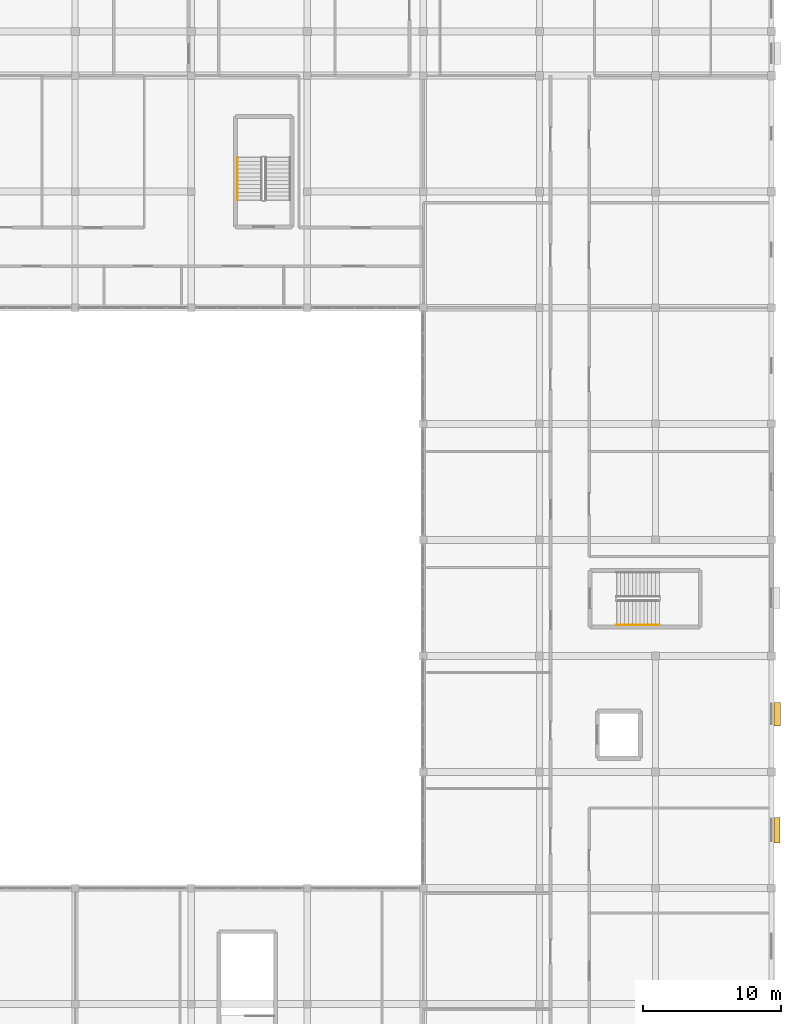
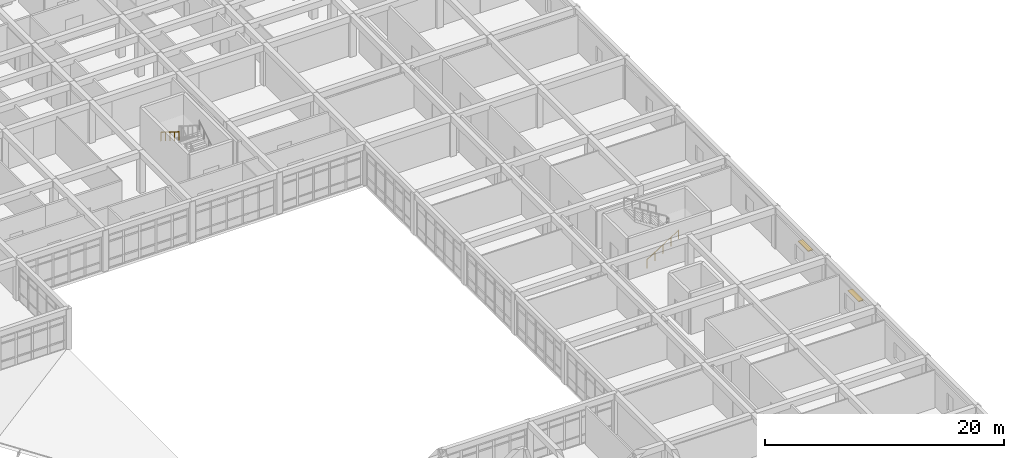
# One storey, part 73 of 77: 2 railings, 2 shading devices.
"""IFC4 building model written with IfcOpenShell, lengths in metres."""

from ifc_helpers import new_model, si_unit, direction, frame, origin, origin_2d, place, context, subcontext, project, spatial, rectangle, circle, extrude, material, layer, layer_set, type_object, element, save


model = new_model("IFC4")

# Units and contexts
model_context = context("Model", 3, precision=1e-05, world=origin(), true_north=direction((0.0, 1.0)))
body_context = subcontext(model_context, "Body", "Model", "MODEL_VIEW")
ifc_project = project(units=[si_unit("LENGTHUNIT", "METRE"), si_unit("AREAUNIT", "SQUARE_METRE"), si_unit("VOLUMEUNIT", "CUBIC_METRE"), si_unit("PLANEANGLEUNIT", "RADIAN"), si_unit("MASSUNIT", "GRAM", prefix="KILO")], contexts=[model_context])

# Site, building, storey
site_placement = place(None, origin())
site = spatial("IfcSite", under=ifc_project, at=site_placement, CompositionType="ELEMENT")
building_placement = place(site_placement, origin())
building = spatial("IfcBuilding", under=site, at=building_placement, Name="Varncliffe General Hospital", CompositionType="ELEMENT")
storey_placement = place(building_placement, frame((0.0, 0.0, 16.199951171875)))
storey = spatial("IfcBuildingStorey", under=building, at=storey_placement, Name="L03", CompositionType="ELEMENT", Elevation=16.199951171875)

# Shading devices
ifc_material_1 = material(Name="Dark bronze extruded aluminium solar jalousie louvres", Category="aluminium")
ifc_layer = layer(ifc_material_1, 0.080078125)
ifc_layer_set = layer_set([ifc_layer], Name="Dark bronze extruded aluminium solar jalousie louvres")
shading_device_type = type_object("IfcShadingDeviceType", Name="Bronze Solar Jalousie Louvre Hood SHD18", PredefinedType="JALOUSIE", material=ifc_layer_set)
shading_device_1_placement = place(storey_placement, frame((176.81494140625, 53.39990234375, 2.4599609375), z_axis=(0.0, 0.0, 1.0), x_axis=(0.0, -1.0, 0.0)))
element("IfcShadingDevice", 1, at=shading_device_1_placement, inside=storey, type_object=shading_device_type, Name="L03 Bronze Window Sun-Shading Louvre 71", PredefinedType="JALOUSIE", context=body_context, shape_type="SweptSolid", body=[
    extrude(rectangle(XDim=1.699951171875, YDim=0.449951171875, at=origin_2d()), origin(), (0.0, 0.0, 1.0), 0.080078125),
])
shading_device_2_placement = place(storey_placement, frame((176.800048828125, 45.0, 2.4599609375), z_axis=(0.0, 0.0, 1.0), x_axis=(0.0, -1.0, 0.0)))
element("IfcShadingDevice", 2, at=shading_device_2_placement, inside=storey, type_object=shading_device_type, Name="L03 Bronze Window Sun-Shading Louvre 72", PredefinedType="JALOUSIE", context=body_context, shape_type="SweptSolid", body=[
    extrude(rectangle(XDim=1.85009765625, YDim=0.449951171875, at=origin_2d()), origin(), (0.0, 0.0, 1.0), 0.080078125),
])

# Railings
ifc_material_2 = material(Name="Powder-coated hospital steel guardrail and handrail", Category="steel")
railing_type = type_object("IfcRailingType", Name="Stair and Ramp Handrail HR46", PredefinedType="HANDRAIL", material=ifc_material_2)
railing_1_placement = place(storey_placement, frame((165.199951171875, 59.85009765625, 0.35400390625)))
element("IfcRailing", 3, at=railing_1_placement, inside=storey, type_object=railing_type, Name="L03 ST07 stair handrail 1", PredefinedType="HANDRAIL", context=body_context, shape_type="SweptSolid", body=[
    extrude(circle(Radius=0.02392578125, at=origin_2d()), frame((0.0, 0.0, 0.8759765625), z_axis=(0.847998304005, 0.0, 0.529998940003), x_axis=(0.0, 1.0, 0.0)), (0.0, 0.0, 1.0), 3.632080078125),
    extrude(circle(Radius=0.02099609375, at=origin_2d()), origin(), (0.0, 0.0, 1.0), 0.851806640625),
    extrude(circle(Radius=0.02099609375, at=origin_2d()), frame((0.77001953125, 0.0, 0.481201171875)), (0.0, 0.0, 1.0), 0.851806640625),
    extrude(circle(Radius=0.02099609375, at=origin_2d()), frame((1.5400390625, 0.0, 0.96240234375)), (0.0, 0.0, 1.0), 0.851806640625),
    extrude(circle(Radius=0.02099609375, at=origin_2d()), frame((2.31005859375, 0.0, 1.44384765625)), (0.0, 0.0, 1.0), 0.851806640625),
    extrude(circle(Radius=0.02099609375, at=origin_2d()), frame((3.080078125, 0.0, 1.925048828125)), (0.0, 0.0, 1.0), 0.851806640625),
])
railing_2_placement = place(storey_placement, frame((137.75, 93.679931640625, 2.4541015625)))
element("IfcRailing", 4, at=railing_2_placement, inside=storey, type_object=railing_type, Name="L03 ST14 stair handrail 2", PredefinedType="HANDRAIL", context=body_context, shape_type="SweptSolid", body=[
    extrude(circle(Radius=0.02392578125, at=origin_2d()), frame((0.0, 0.0, 0.8759765625), z_axis=(0.0, -0.847979421464, 0.530029150871), x_axis=(1.0, 0.0, 0.0)), (0.0, 0.0, 1.0), 3.632080078125),
    extrude(circle(Radius=0.02099609375, at=origin_2d()), origin(), (0.0, 0.0, 1.0), 0.851806640625),
    extrude(circle(Radius=0.02099609375, at=origin_2d()), frame((0.0, -0.77001953125, 0.481201171875)), (0.0, 0.0, 1.0), 0.851806640625),
    extrude(circle(Radius=0.02099609375, at=origin_2d()), frame((0.0, -1.5400390625, 0.96240234375)), (0.0, 0.0, 1.0), 0.851806640625),
    extrude(circle(Radius=0.02099609375, at=origin_2d()), frame((0.0, -2.309814453125, 1.44384765625)), (0.0, 0.0, 1.0), 0.851806640625),
    extrude(circle(Radius=0.02099609375, at=origin_2d()), frame((0.0, -3.079833984375, 1.925048828125)), (0.0, 0.0, 1.0), 0.851806640625),
])

save(model, "model.ifc")
